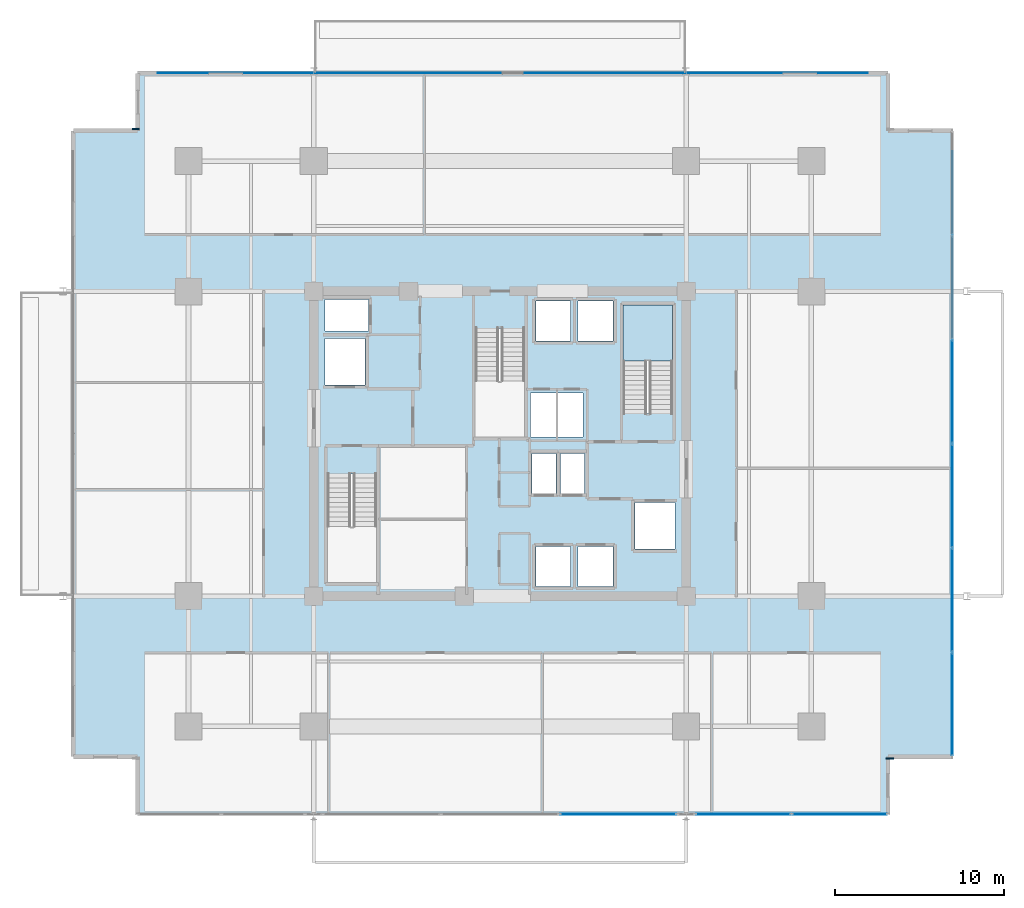
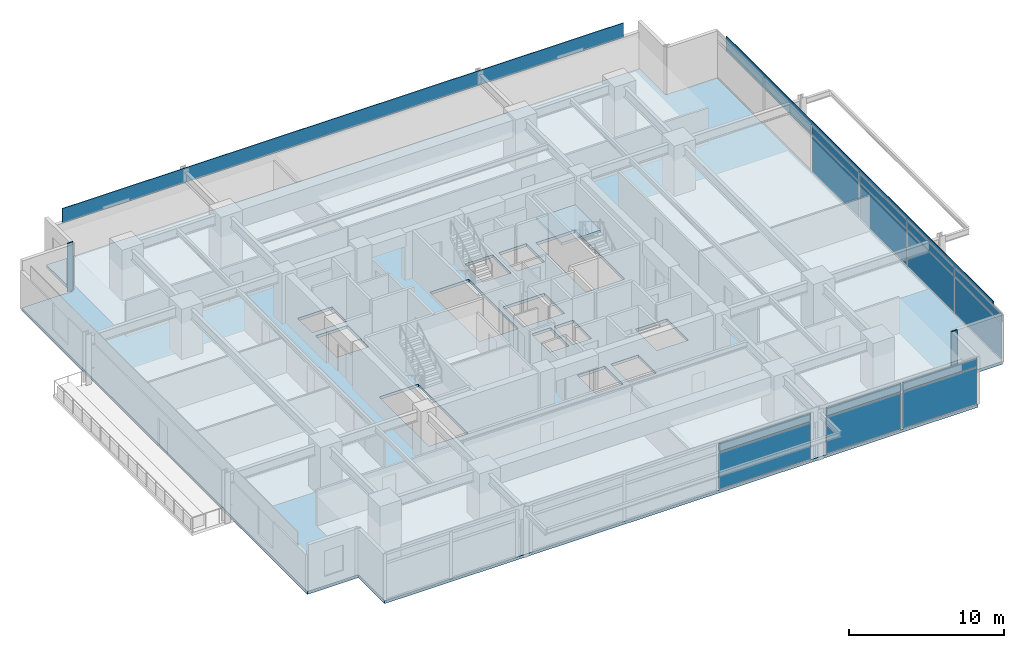
# One storey, part 14 of 23: 18 plates, 2 slabs, 4 elements without a shape of their own.
"""IFC4 building model written with IfcOpenShell, lengths in metres."""

from ifc_helpers import new_model, si_unit, direction, frame, origin, origin_2d, place, context, subcontext, project, spatial, polyline, rectangle, outline, extrude, material, layer, layer_set, type_object, element, aggregate, save


model = new_model("IFC4")

# Units and contexts
model_context = context("Model", 3, precision=1e-05, world=origin(), true_north=direction((0.0, 1.0)))
body_context = subcontext(model_context, "Body", "Model", "MODEL_VIEW")
ifc_project = project(units=[si_unit("LENGTHUNIT", "METRE"), si_unit("AREAUNIT", "SQUARE_METRE"), si_unit("VOLUMEUNIT", "CUBIC_METRE"), si_unit("PLANEANGLEUNIT", "RADIAN"), si_unit("MASSUNIT", "GRAM", prefix="KILO")], contexts=[model_context])

# Site, building, storey
site_placement = place(None, origin())
site = spatial("IfcSite", under=ifc_project, at=site_placement, CompositionType="ELEMENT")
building_placement = place(site_placement, origin())
building = spatial("IfcBuilding", under=site, at=building_placement, Name="Kovane Verandah Tower", CompositionType="ELEMENT")
storey_placement = place(building_placement, frame((0.0, 0.0, 168.39990234375)))
storey = spatial("IfcBuildingStorey", under=building, at=storey_placement, Name="L39", CompositionType="ELEMENT", Elevation=168.39990234375)

# Curtain wall, plate
ifc_material_1 = material(Name="Champagne Anodised Aluminium Frame with Low-E Clear Laminated Glass", Category="aluminium")
curtain_wall_type = type_object("IfcCurtainWallType", Name="CW-SYS-03-MID", PredefinedType="NOTDEFINED", material=ifc_material_1)
curtain_wall_1_placement = place(storey_placement, origin())
curtain_wall_1 = element("IfcCurtainWall", 1, at=curtain_wall_1_placement, inside=storey, type_object=curtain_wall_type, Name="L39 S Unitised Curtain Wall-2", PredefinedType="NOTDEFINED")
ifc_material_2 = material(Name="Pale Champagne Anodised Aluminium Insulated Spandrel", Category="aluminium")
ifc_layer_1 = layer(ifc_material_2, 0.0400390625)
ifc_layer_set_1 = layer_set([ifc_layer_1], Name="Pale Champagne Anodised Aluminium Insulated Spandrel")
plate_type_1 = type_object("IfcPlateType", Name="PL-CW-SPD-40", PredefinedType="SHEET", material=ifc_layer_set_1)
plate_1_placement = place(storey_placement, frame((46.98681640625, 5.617919921875, 3.044921875), z_axis=(0.0, 0.0, 1.0), x_axis=(1.0, 0.0, 0.0)))
plate_1 = element("IfcPlate", 2, at=plate_1_placement, type_object=plate_type_1, Name="L39 S Unitised Curtain Wall-2 Spandrel Panel 3", PredefinedType="SHEET", context=body_context, shape_type="SweptSolid", body=[
    extrude(rectangle(XDim=6.8466796875, YDim=0.0400390625, at=origin_2d()), origin(), (0.0, 0.0, 1.0), 0.639892578125),
])

# Curtain wall, plates
curtain_wall_2_placement = place(storey_placement, origin())
curtain_wall_2 = element("IfcCurtainWall", 3, at=curtain_wall_2_placement, inside=storey, type_object=curtain_wall_type, Name="L39 S Unitised Curtain Wall-3", PredefinedType="NOTDEFINED")
plate_2_placement = place(storey_placement, frame((54.3701171875, 5.617919921875, 3.044921875), z_axis=(0.0, 0.0, 1.0), x_axis=(1.0, 0.0, 0.0)))
plate_2 = element("IfcPlate", 4, at=plate_2_placement, type_object=plate_type_1, Name="L39 S Unitised Curtain Wall-3 Spandrel Panel 1", PredefinedType="SHEET", context=body_context, shape_type="SweptSolid", body=[
    extrude(rectangle(XDim=5.559814453125, YDim=0.0400390625, at=origin_2d()), origin(), (0.0, 0.0, 1.0), 0.639892578125),
])
plate_3_placement = place(storey_placement, frame((60.06982421875, 5.617919921875, 3.044921875), z_axis=(0.0, 0.0, 1.0), x_axis=(1.0, 0.0, 0.0)))
plate_3 = element("IfcPlate", 5, at=plate_3_placement, type_object=plate_type_1, Name="L39 S Unitised Curtain Wall-3 Spandrel Panel 2", PredefinedType="SHEET", context=body_context, shape_type="SweptSolid", body=[
    extrude(rectangle(XDim=5.559814453125, YDim=0.0400390625, at=origin_2d()), origin(), (0.0, 0.0, 1.0), 0.639892578125),
])

curtain_wall_3_placement = place(storey_placement, origin())
curtain_wall_3 = element("IfcCurtainWall", 6, at=curtain_wall_3_placement, inside=storey, type_object=curtain_wall_type, Name="L39 E Unitised Curtain Wall", PredefinedType="NOTDEFINED")
plate_4_placement = place(storey_placement, frame((66.7197265625, 12.09814453125, 3.044921875), z_axis=(0.0, 0.0, 1.0), x_axis=(0.0, 1.0, 0.0)))
plate_4 = element("IfcPlate", 7, at=plate_4_placement, type_object=plate_type_1, Name="L39 E Unitised Curtain Wall Spandrel Panel 1", PredefinedType="SHEET", context=body_context, shape_type="SweptSolid", body=[
    extrude(rectangle(XDim=6.020751953125, YDim=0.0400390625, at=origin_2d()), origin(), (0.0, 0.0, 1.0), 0.639892578125),
])
plate_5_placement = place(storey_placement, frame((66.7197265625, 18.2587890625, 3.044921875), z_axis=(0.0, 0.0, 1.0), x_axis=(0.0, 1.0, 0.0)))
plate_5 = element("IfcPlate", 8, at=plate_5_placement, type_object=plate_type_1, Name="L39 E Unitised Curtain Wall Spandrel Panel 2", PredefinedType="SHEET", context=body_context, shape_type="SweptSolid", body=[
    extrude(rectangle(XDim=6.020751953125, YDim=0.0400390625, at=origin_2d()), origin(), (0.0, 0.0, 1.0), 0.639892578125),
])
plate_6_placement = place(storey_placement, frame((66.7197265625, 24.419677734375, 3.044921875), z_axis=(0.0, 0.0, 1.0), x_axis=(0.0, 1.0, 0.0)))
plate_6 = element("IfcPlate", 9, at=plate_6_placement, type_object=plate_type_1, Name="L39 E Unitised Curtain Wall Spandrel Panel 3", PredefinedType="SHEET", context=body_context, shape_type="SweptSolid", body=[
    extrude(rectangle(XDim=6.020751953125, YDim=0.0400390625, at=origin_2d()), origin(), (0.0, 0.0, 1.0), 0.639892578125),
])
plate_7_placement = place(storey_placement, frame((66.7197265625, 30.580322265625, 3.044921875), z_axis=(0.0, 0.0, 1.0), x_axis=(0.0, 1.0, 0.0)))
plate_7 = element("IfcPlate", 10, at=plate_7_placement, type_object=plate_type_1, Name="L39 E Unitised Curtain Wall Spandrel Panel 4", PredefinedType="SHEET", context=body_context, shape_type="SweptSolid", body=[
    extrude(rectangle(XDim=6.020751953125, YDim=0.0400390625, at=origin_2d()), origin(), (0.0, 0.0, 1.0), 0.639892578125),
])

# Plate
ifc_material_3 = material(Name="Clear Low-E Laminated Double Glazing", Category="glass")
ifc_layer_2 = layer(ifc_material_3, 0.031982421875)
ifc_layer_set_2 = layer_set([ifc_layer_2], Name="Clear Low-E Laminated Double Glazing")
plate_type_2 = type_object("IfcPlateType", Name="PL-CW-VIS-32", PredefinedType="CURTAIN_PANEL", material=ifc_layer_set_2)
plate_8_placement = place(storey_placement, frame((46.98681640625, 5.617919921875, 0.10009765625), z_axis=(0.0, 0.0, 1.0), x_axis=(1.0, 0.0, 0.0)))
plate_8 = element("IfcPlate", 11, at=plate_8_placement, type_object=plate_type_2, Name="L39 S Unitised Curtain Wall-2 Vision Panel 3", PredefinedType="CURTAIN_PANEL", context=body_context, shape_type="SweptSolid", body=[
    extrude(rectangle(XDim=6.8466796875, YDim=0.031982421875, at=origin_2d()), origin(), (0.0, 0.0, 1.0), 2.844970703125),
])

aggregate(curtain_wall_1, [plate_8, plate_1])

plate_9_placement = place(storey_placement, frame((54.3701171875, 5.617919921875, 0.10009765625), z_axis=(0.0, 0.0, 1.0), x_axis=(1.0, 0.0, 0.0)))
plate_9 = element("IfcPlate", 12, at=plate_9_placement, type_object=plate_type_2, Name="L39 S Unitised Curtain Wall-3 Vision Panel 1", PredefinedType="CURTAIN_PANEL", context=body_context, shape_type="SweptSolid", body=[
    extrude(rectangle(XDim=5.559814453125, YDim=0.031982421875, at=origin_2d()), origin(), (0.0, 0.0, 1.0), 2.844970703125),
])

plate_10_placement = place(storey_placement, frame((60.06982421875, 5.617919921875, 0.10009765625), z_axis=(0.0, 0.0, 1.0), x_axis=(1.0, 0.0, 0.0)))
plate_10 = element("IfcPlate", 13, at=plate_10_placement, type_object=plate_type_2, Name="L39 S Unitised Curtain Wall-3 Vision Panel 2", PredefinedType="CURTAIN_PANEL", context=body_context, shape_type="SweptSolid", body=[
    extrude(rectangle(XDim=5.559814453125, YDim=0.031982421875, at=origin_2d()), origin(), (0.0, 0.0, 1.0), 2.844970703125),
])

aggregate(curtain_wall_2, [plate_9, plate_2, plate_10, plate_3])

plate_11_placement = place(storey_placement, frame((66.7197265625, 12.09814453125, 0.10009765625), z_axis=(0.0, 0.0, 1.0), x_axis=(0.0, 1.0, 0.0)))
plate_11 = element("IfcPlate", 14, at=plate_11_placement, type_object=plate_type_2, Name="L39 E Unitised Curtain Wall Vision Panel 1", PredefinedType="CURTAIN_PANEL", context=body_context, shape_type="SweptSolid", body=[
    extrude(rectangle(XDim=6.020751953125, YDim=0.031982421875, at=origin_2d()), origin(), (0.0, 0.0, 1.0), 2.844970703125),
])

plate_12_placement = place(storey_placement, frame((66.7197265625, 18.2587890625, 0.10009765625), z_axis=(0.0, 0.0, 1.0), x_axis=(0.0, 1.0, 0.0)))
plate_12 = element("IfcPlate", 15, at=plate_12_placement, type_object=plate_type_2, Name="L39 E Unitised Curtain Wall Vision Panel 2", PredefinedType="CURTAIN_PANEL", context=body_context, shape_type="SweptSolid", body=[
    extrude(rectangle(XDim=6.020751953125, YDim=0.031982421875, at=origin_2d()), origin(), (0.0, 0.0, 1.0), 2.844970703125),
])

plate_13_placement = place(storey_placement, frame((66.7197265625, 24.419677734375, 0.10009765625), z_axis=(0.0, 0.0, 1.0), x_axis=(0.0, 1.0, 0.0)))
plate_13 = element("IfcPlate", 16, at=plate_13_placement, type_object=plate_type_2, Name="L39 E Unitised Curtain Wall Vision Panel 3", PredefinedType="CURTAIN_PANEL", context=body_context, shape_type="SweptSolid", body=[
    extrude(rectangle(XDim=6.020751953125, YDim=0.031982421875, at=origin_2d()), origin(), (0.0, 0.0, 1.0), 2.844970703125),
])

plate_14_placement = place(storey_placement, frame((66.7197265625, 30.580322265625, 0.10009765625), z_axis=(0.0, 0.0, 1.0), x_axis=(0.0, 1.0, 0.0)))
plate_14 = element("IfcPlate", 17, at=plate_14_placement, type_object=plate_type_2, Name="L39 E Unitised Curtain Wall Vision Panel 4", PredefinedType="CURTAIN_PANEL", context=body_context, shape_type="SweptSolid", body=[
    extrude(rectangle(XDim=6.020751953125, YDim=0.031982421875, at=origin_2d()), origin(), (0.0, 0.0, 1.0), 2.844970703125),
])

aggregate(curtain_wall_3, [plate_11, plate_4, plate_12, plate_5, plate_13, plate_6, plate_14, plate_7])

# Plates
ifc_material_4 = material(Name="Timber-Toned Subtropical Aluminium Vertical Blade", Category="wood")
ifc_layer_3 = layer(ifc_material_4, 0.090087890625)
ifc_layer_set_3 = layer_set([ifc_layer_3], Name="Timber-Toned Subtropical Aluminium Vertical Blade")
plate_type_3 = type_object("IfcPlateType", Name="PL-FIN-90", PredefinedType="USERDEFINED", material=ifc_layer_set_3)
for number, where, z_axis, x_axis, name in (
    (18, (63.039794921875, 8.897705078125, -0.019775390625), (0.0, 0.0, 1.0), (1.0, 0.0, 0.0), "L39 SE Timber-Toned Vertical Corner Fin"),
    (19, (18.476806640625, 46.102294921875, -0.019775390625), (0.0, 0.0, 1.0), (1.0, 0.0, 0.0), "L39 NW Timber-Toned Vertical Corner Fin"),
):
    element("IfcPlate", number, at=place(storey_placement, frame(where, z_axis=z_axis, x_axis=x_axis)), inside=storey, type_object=plate_type_3, Name=name, ObjectType="FIN", PredefinedType="USERDEFINED", context=body_context, shape_type="SweptSolid", body=[
        extrude(rectangle(XDim=0.419921875, YDim=0.090087890625, at=origin_2d()), origin(), (0.0, 0.0, 1.0), 3.8349609375),
    ])
ifc_material_5 = material(Name="Perforated Pale Champagne Anodised Aluminium Solar Screen", Category="aluminium")
ifc_layer_4 = layer(ifc_material_5, 0.050048828125)
ifc_layer_set_4 = layer_set([ifc_layer_4], Name="Perforated Pale Champagne Anodised Aluminium Solar Screen")
plate_type_4 = type_object("IfcPlateType", Name="PL-SCREEN-50", PredefinedType="USERDEFINED", material=ifc_layer_set_4)
plate_15_placement = place(storey_placement, frame((66.73486328125, 27.5, 2.875244140625), z_axis=(0.0, 0.0, 1.0), x_axis=(0.0, 1.0, 0.0)))
element("IfcPlate", 20, at=plate_15_placement, inside=storey, type_object=plate_type_4, Name="L39 E Perforated Champagne-Gold Solar Screen", ObjectType="SCREEN", PredefinedType="USERDEFINED", context=body_context, shape_type="SweptSolid", body=[
    extrude(rectangle(XDim=34.56396484375, YDim=0.050048828125, at=origin_2d()), origin(), (0.0, 0.0, 1.0), 1.14990234375),
])
plate_16_placement = place(storey_placement, frame((40.75830078125, 49.397216796875, 2.875244140625), z_axis=(0.0, 0.0, 1.0), x_axis=(-1.0, 0.0, 0.0)))
element("IfcPlate", 21, at=plate_16_placement, inside=storey, type_object=plate_type_4, Name="L39 N Perforated Champagne-Gold Solar Screen", ObjectType="SCREEN", PredefinedType="USERDEFINED", context=body_context, shape_type="SweptSolid", body=[
    extrude(rectangle(XDim=41.923095703125, YDim=0.050048828125, at=origin_2d()), origin(), (0.0, 0.0, 1.0), 1.14990234375),
])

# Stair, slab
ifc_material_6 = material(Name="Concrete C45/55", Category="concrete")
stair_type = type_object("IfcStairType", Name="ST-CORE-1380", PredefinedType="HALF_TURN_STAIR", material=ifc_material_6)
stair_placement = place(storey_placement, origin())
stair = element("IfcStair", 22, at=stair_placement, inside=storey, type_object=stair_type, Name="L39 Exit Stair ST-02", PredefinedType="HALF_TURN_STAIR")
ifc_layer_5 = layer(ifc_material_6, 0.199951171875)
ifc_layer_set_5 = layer_set([ifc_layer_5], Name="Concrete C45/55")
slab_type_1 = type_object("IfcSlabType", Name="SL-LAND-200", PredefinedType="LANDING", material=ifc_layer_set_5)
slab_1_placement = place(storey_placement, frame((0.0, 0.0, 1.800048828125)))
slab_1 = element("IfcSlab", 23, at=slab_1_placement, type_object=slab_type_1, Name="ST-02 landing 1", PredefinedType="LANDING", context=body_context, shape_type="SweptSolid", body=[
    extrude(outline(polyline([(50.199951171875, 32.385009765625), (50.199951171875, 35.699951171875), (47.280029296875, 35.699951171875), (47.280029296875, 32.385009765625), (50.199951171875, 32.385009765625)])), origin(), (0.0, 0.0, 1.0), 0.199951171875),
])
aggregate(stair, [slab_1])

# Slab
ifc_layer_6 = layer(ifc_material_6, 0.22509765625)
ifc_layer_set_6 = layer_set([ifc_layer_6], Name="Concrete C45/55")
slab_type_2 = type_object("IfcSlabType", Name="SL-MID-225", PredefinedType="FLOOR", material=ifc_layer_set_6)
slab_2_placement = place(storey_placement, frame((0.0, 0.0, -0.224853515625)))
element("IfcSlab", 24, at=slab_2_placement, inside=storey, type_object=slab_type_2, Name="L39 Structural Floor Slab", PredefinedType="FLOOR", context=body_context, shape_type="SweptSolid", body=[
    extrude(outline(polyline([(18.5966796875, 5.617919921875), (62.919921875, 5.617919921875), (62.919921875, 9.017822265625), (66.7197265625, 9.017822265625), (66.7197265625, 45.982177734375), (62.919921875, 45.982177734375), (62.919921875, 49.382080078125), (18.5966796875, 49.382080078125), (18.5966796875, 45.982177734375), (14.796875, 45.982177734375), (14.796875, 9.017822265625), (18.5966796875, 9.017822265625), (18.5966796875, 5.617919921875)]), holes=[polyline([(29.800048828125, 19.300048828125), (32.719970703125, 19.300048828125), (32.719970703125, 25.705078125), (29.800048828125, 25.705078125), (29.800048828125, 19.300048828125)]), polyline([(47.280029296875, 29.294921875), (50.199951171875, 29.294921875), (50.199951171875, 35.699951171875), (47.280029296875, 35.699951171875), (47.280029296875, 29.294921875)]), polyline([(38.5400390625, 27.89990234375), (41.4599609375, 27.89990234375), (41.4599609375, 34.304931640625), (38.5400390625, 34.304931640625), (38.5400390625, 27.89990234375)]), polyline([(29.669921875, 30.969970703125), (32.030029296875, 30.969970703125), (32.030029296875, 33.72998046875), (29.669921875, 33.72998046875), (29.669921875, 30.969970703125)]), polyline([(47.969970703125, 21.27001953125), (50.330078125, 21.27001953125), (50.330078125, 24.030029296875), (47.969970703125, 24.030029296875), (47.969970703125, 21.27001953125)]), polyline([(29.669921875, 34.169921875), (32.22998046875, 34.169921875), (32.22998046875, 36.030029296875), (29.669921875, 36.030029296875), (29.669921875, 34.169921875)]), polyline([(42.1201171875, 19.070068359375), (44.179931640625, 19.070068359375), (44.179931640625, 21.429931640625), (42.1201171875, 21.429931640625), (42.1201171875, 19.070068359375)]), polyline([(44.6201171875, 19.070068359375), (46.679931640625, 19.070068359375), (46.679931640625, 21.429931640625), (44.6201171875, 21.429931640625), (44.6201171875, 19.070068359375)]), polyline([(41.8798828125, 24.570068359375), (43.320068359375, 24.570068359375), (43.320068359375, 26.929931640625), (41.8798828125, 26.929931640625), (41.8798828125, 24.570068359375)]), polyline([(43.580078125, 24.570068359375), (45.0, 24.570068359375), (45.0, 26.929931640625), (43.580078125, 26.929931640625), (43.580078125, 24.570068359375)]), polyline([(42.1201171875, 33.570068359375), (44.179931640625, 33.570068359375), (44.179931640625, 35.929931640625), (42.1201171875, 35.929931640625), (42.1201171875, 33.570068359375)]), polyline([(44.6201171875, 33.570068359375), (46.679931640625, 33.570068359375), (46.679931640625, 35.929931640625), (44.6201171875, 35.929931640625), (44.6201171875, 33.570068359375)]), polyline([(41.800048828125, 27.89990234375), (44.89990234375, 27.89990234375), (44.89990234375, 30.5), (41.800048828125, 30.5), (41.800048828125, 27.89990234375)])]), origin(), (0.0, 0.0, 1.0), 0.224853515625),
])

save(model, "model.ifc")
